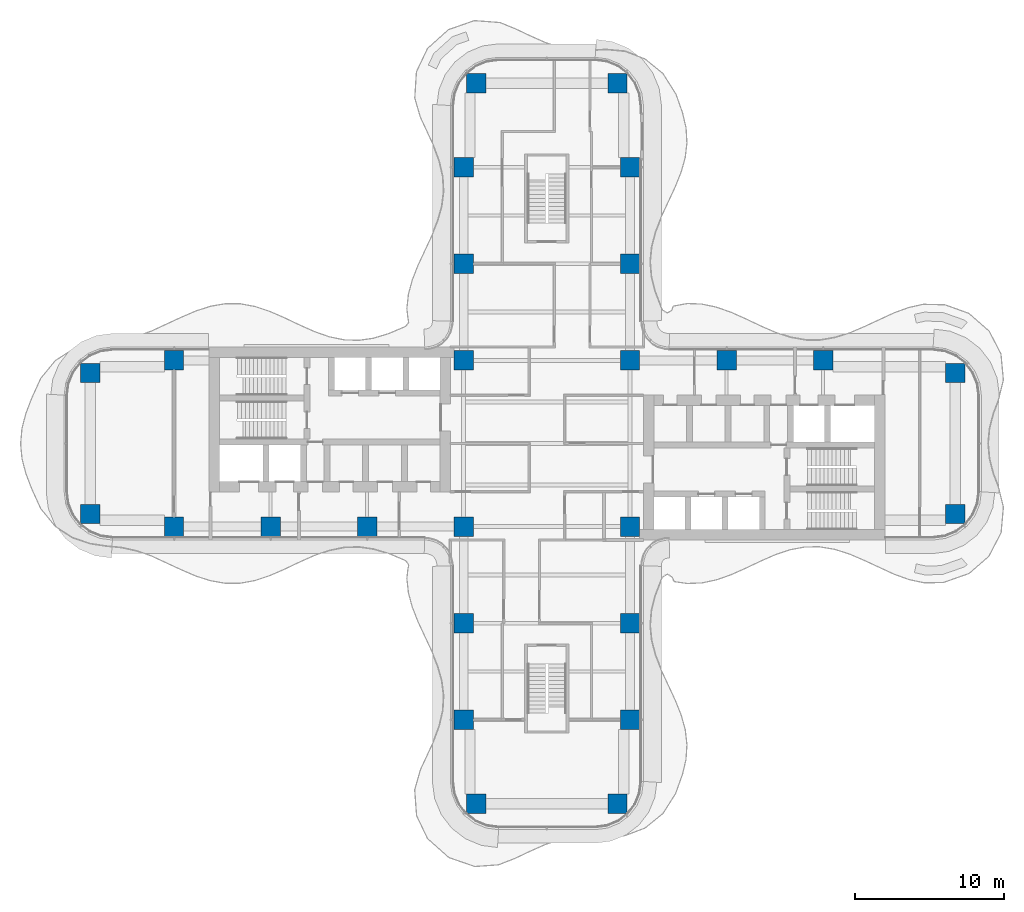
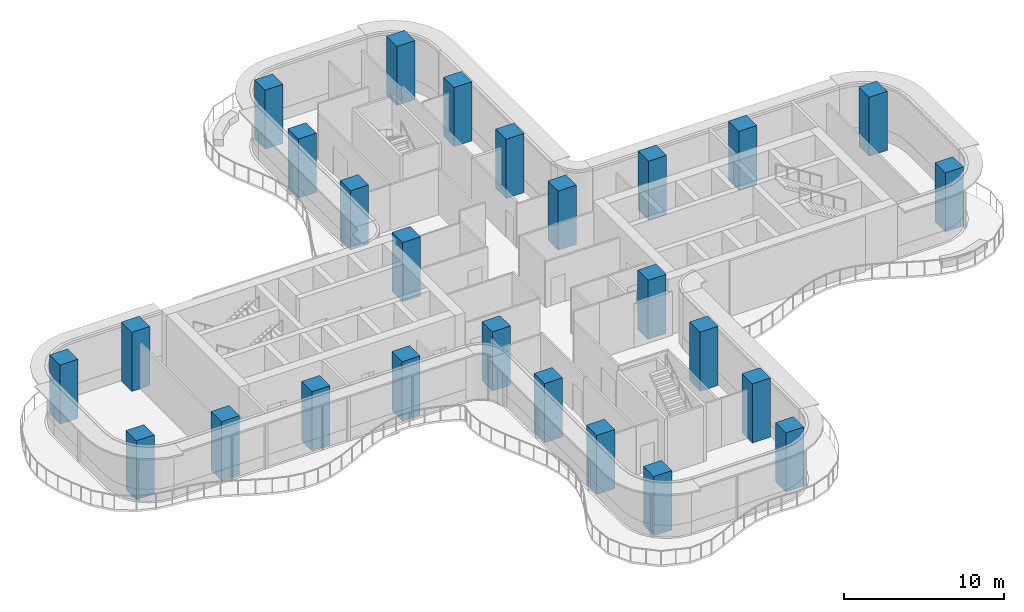
# One storey, part 1 of 20: 26 columns.
"""IFC4 building model written with IfcOpenShell, lengths in metres."""

from ifc_helpers import new_model, si_unit, direction, frame, origin, origin_2d, place, context, subcontext, project, spatial, rectangle, extrude, source, transform, mapped, material, material_profile, profile_set, type_object, element, save


model = new_model("IFC4")

# Units and contexts
model_context = context("Model", 3, precision=1e-05, world=origin(), true_north=direction((0.0, 1.0)))
body_context = subcontext(model_context, "Body", "Model", "MODEL_VIEW")
ifc_project = project(units=[si_unit("LENGTHUNIT", "METRE"), si_unit("AREAUNIT", "SQUARE_METRE"), si_unit("VOLUMEUNIT", "CUBIC_METRE"), si_unit("PLANEANGLEUNIT", "RADIAN"), si_unit("MASSUNIT", "GRAM", prefix="KILO")], contexts=[model_context])

# Site, building, storey
site_placement = place(None, origin())
site = spatial("IfcSite", under=ifc_project, at=site_placement, CompositionType="ELEMENT")
building_placement = place(site_placement, origin())
building = spatial("IfcBuilding", under=site, at=building_placement, Name="Trellis Farm Tower", CompositionType="ELEMENT")
storey_placement = place(building_placement, frame((0.0, 0.0, 133.5)))
storey = spatial("IfcBuildingStorey", under=building, at=storey_placement, Name="L28", CompositionType="ELEMENT", Elevation=133.5)

# Columns
ifc_material = material(Name="Concrete C80/95", Category="concrete")
ifc_material_profile = material_profile(ifc_material, rectangle(XDim=1.300048828125, YDim=1.300048828125, at=origin_2d()), Name="RC column 1300x1300 C80/95")
ifc_profile_set = profile_set([ifc_material_profile], Name="Concrete C80/95")
column_type = type_object("IfcColumnType", Name="RC column 1300x1300 C80/95", PredefinedType="COLUMN", material=ifc_profile_set)
shared_shape = source(origin(), body_context, "Body", "SweptSolid", [
    extrude(rectangle(XDim=1.300048828125, YDim=1.300048828125, at=origin_2d()), origin(), (0.0, 0.0, 1.0), 4.5),
])
for number, where, z_axis, x_axis, name in (
    (1, (12.10009765625, 5.60009765625, 0.0), (0.0, 0.0, 1.0), (1.0, 0.0, 0.0), "Column"),
    (2, (18.60009765625, 5.60009765625, 0.0), (0.0, 0.0, 1.0), (1.0, 0.0, 0.0), "Column"),
    (3, (27.5, 4.75, 0.0), (0.0, 0.0, 1.0), (1.0, 0.0, 0.0), "Column"),
    (4, (27.5, -4.75, 0.0), (0.0, 0.0, 1.0), (1.0, 0.0, 0.0), "Column"),
    (5, (-5.60009765625, 12.10009765625, 0.0), (0.0, 0.0, 1.0), (1.0, 0.0, 0.0), "Column"),
    (6, (-5.60009765625, 18.60009765625, 0.0), (0.0, 0.0, 1.0), (1.0, 0.0, 0.0), "Column"),
    (7, (-4.75, 24.25, 0.0), (0.0, 0.0, 1.0), (1.0, 0.0, 0.0), "Column"),
    (8, (5.60009765625, 12.10009765625, 0.0), (0.0, 0.0, 1.0), (1.0, 0.0, 0.0), "Column"),
    (9, (5.60009765625, 18.60009765625, 0.0), (0.0, 0.0, 1.0), (1.0, 0.0, 0.0), "Column"),
    (10, (4.75, 24.25, 0.0), (0.0, 0.0, 1.0), (1.0, 0.0, 0.0), "Column"),
    (11, (5.60009765625, 5.60009765625, 0.0), (0.0, 0.0, 1.0), (1.0, 0.0, 0.0), "Column"),
    (12, (-5.60009765625, 5.60009765625, 0.0), (0.0, 0.0, 1.0), (1.0, 0.0, 0.0), "Column"),
    (13, (5.60009765625, -5.60009765625, 0.0), (0.0, 0.0, 1.0), (1.0, 0.0, 0.0), "Column"),
    (14, (-5.60009765625, -5.60009765625, 0.0), (0.0, 0.0, 1.0), (1.0, 0.0, 0.0), "Column"),
    (15, (5.60009765625, -12.10009765625, 0.0), (0.0, 0.0, 1.0), (1.0, 0.0, 0.0), "Column"),
    (16, (5.60009765625, -18.60009765625, 0.0), (0.0, 0.0, 1.0), (1.0, 0.0, 0.0), "Column"),
    (17, (4.75, -24.25, 0.0), (0.0, 0.0, 1.0), (1.0, 0.0, 0.0), "Column"),
    (18, (-5.60009765625, -12.10009765625, 0.0), (0.0, 0.0, 1.0), (1.0, 0.0, 0.0), "Column"),
    (19, (-5.60009765625, -18.60009765625, 0.0), (0.0, 0.0, 1.0), (1.0, 0.0, 0.0), "Column"),
    (20, (-4.75, -24.25, 0.0), (0.0, 0.0, 1.0), (1.0, 0.0, 0.0), "Column"),
    (21, (-12.10009765625, -5.60009765625, 0.0), (0.0, 0.0, 1.0), (1.0, 0.0, 0.0), "Column"),
    (22, (-18.60009765625, -5.60009765625, 0.0), (0.0, 0.0, 1.0), (1.0, 0.0, 0.0), "Column"),
    (23, (-25.10009765625, -5.60009765625, 0.0), (0.0, 0.0, 1.0), (1.0, 0.0, 0.0), "Column"),
    (24, (-30.75, -4.75, 0.0), (0.0, 0.0, 1.0), (1.0, 0.0, 0.0), "Column"),
    (25, (-25.10009765625, 5.60009765625, 0.0), (0.0, 0.0, 1.0), (1.0, 0.0, 0.0), "Column"),
    (26, (-30.75, 4.75, 0.0), (0.0, 0.0, 1.0), (1.0, 0.0, 0.0), "Column"),
):
    element("IfcColumn", number, at=place(storey_placement, frame(where, z_axis=z_axis, x_axis=x_axis)), inside=storey, type_object=column_type, Name=name, PredefinedType="COLUMN", context=body_context, shape_type="MappedRepresentation", body=[
        mapped(shared_shape, transform((0.0, 0.0, 0.0))),
    ])

save(model, "model.ifc")
